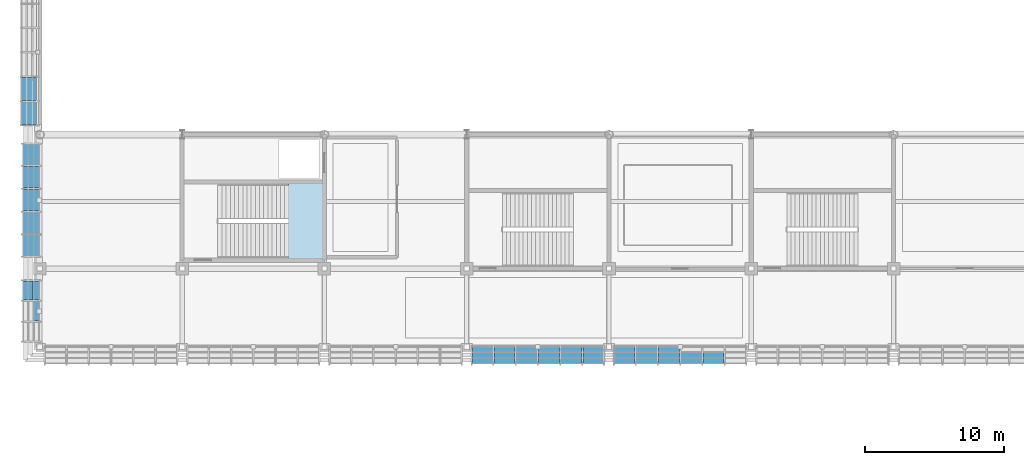
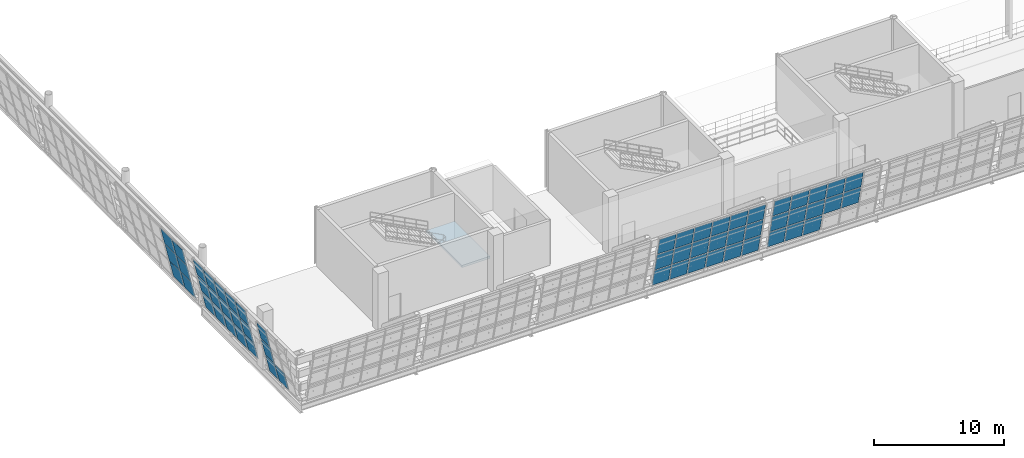
# One storey, part 103 of 175: 56 plates, 1 slab, 6 elements without a shape of their own.
"""IFC4 building model written with IfcOpenShell, lengths in metres."""

import ifcopenshell
import ifcopenshell.guid

model = None  # the IFC model being written
_history = None  # IfcOwnerHistory: only IFC2X3 demands one
_inside = {}  # id of a spatial element -> (the spatial element, [elements in it])
_under = {}  # id of a project, library or spatial element -> (it, [spatial elements below it])
_declared = {}  # id of a project -> (the project, [libraries it declares])
_typed = {}  # id of a type object -> (the type object, [elements of that type])
_made_of = {}  # id of a material, layer set ... -> (it, [elements and type objects made of it])


def new_model(schema):
    """Start an empty IFC model of exactly this schema.

    Asked for "IFC4X3", IfcOpenShell would pick the latest addendum, in which some entities
    have other attributes; the version numbers below select the first issue.
    IFC2X3 requires an IfcOwnerHistory on every rooted entity: one is made here for all.
    """
    global model, _history
    if schema == "IFC4X3":
        model = ifcopenshell.file(schema_version=(4, 3, 0, 0))
    else:
        model = ifcopenshell.file(schema=schema)
    _inside.clear()
    _under.clear()
    _declared.clear()
    _typed.clear()
    _made_of.clear()
    _history = None
    if model.schema == "IFC2X3":
        org = make("IfcOrganization", Name="unknown")
        user = make(
            "IfcPersonAndOrganization",
            ThePerson=make("IfcPerson", FamilyName="unknown"),
            TheOrganization=org,
        )
        app = make(
            "IfcApplication",
            ApplicationDeveloper=org,
            Version="unknown",
            ApplicationFullName="unknown",
            ApplicationIdentifier="unknown",
        )
        _history = make(
            "IfcOwnerHistory",
            OwningUser=user,
            OwningApplication=app,
            ChangeAction="ADDED",
            CreationDate=0,
        )
    return model


def make(cls, **values):
    """One entity of the class cls with the attributes given. An attribute that is None is left unset."""
    return model.create_entity(
        cls, **{name: value for name, value in values.items() if value is not None}
    )


def rooted(cls, **values):
    """An entity with a GlobalId (a new one), such as an element, a storey or a relation."""
    return make(cls, GlobalId=ifcopenshell.guid.new(), OwnerHistory=_history, **values)


def si_unit(unit_type, name, prefix=None):
    """IfcSIUnit, for example si_unit("LENGTHUNIT", "METRE", prefix="MILLI")."""
    return make("IfcSIUnit", UnitType=unit_type, Prefix=prefix, Name=name)


def assignment(units):
    """IfcUnitAssignment: the units of a project."""
    return None if units is None else make("IfcUnitAssignment", Units=units)


def point(xyz):
    """IfcCartesianPoint."""
    return None if xyz is None else make("IfcCartesianPoint", Coordinates=xyz)


def direction(xyz):
    """IfcDirection."""
    return None if xyz is None else make("IfcDirection", DirectionRatios=xyz)


def frame(location, z_axis=None, x_axis=None):
    """IfcAxis2Placement3D, a coordinate frame: its origin and axes. An axis left out is left unset."""
    return make(
        "IfcAxis2Placement3D",
        Location=point(location),
        Axis=direction(z_axis),
        RefDirection=direction(x_axis),
    )


def origin():
    """The frame at (0, 0, 0) with its axes left unset."""
    return frame((0.0, 0.0, 0.0))


def place(relative_to, where):
    """IfcLocalPlacement: puts the frame where relative to a parent placement (None: the world)."""
    return make(
        "IfcLocalPlacement", PlacementRelTo=relative_to, RelativePlacement=where
    )


def context(
    kind, dimensions, precision=None, world=None, true_north=None, identifier=None
):
    """IfcGeometricRepresentationContext, for example the 3D "Model" context."""
    return make(
        "IfcGeometricRepresentationContext",
        ContextIdentifier=identifier,
        ContextType=kind,
        CoordinateSpaceDimension=dimensions,
        Precision=precision,
        WorldCoordinateSystem=world,
        TrueNorth=true_north,
    )


def subcontext(parent, identifier, kind, view, scale=None):
    """IfcGeometricRepresentationSubContext, for example "Body" below "Model"."""
    return make(
        "IfcGeometricRepresentationSubContext",
        ContextIdentifier=identifier,
        ContextType=kind,
        ParentContext=parent,
        TargetScale=scale,
        TargetView=view,
    )


def project(units=None, contexts=None):
    """IfcProject with its units and contexts."""
    return rooted(
        "IfcProject",
        Name="project",
        RepresentationContexts=contexts,
        UnitsInContext=assignment(units),
    )


def spatial(cls, under=None, at=None, **own):
    """A site, building, storey or space (cls), placed at a placement, below another one or the project."""
    s = rooted(cls, ObjectPlacement=at, **own)
    if under is not None:
        _under.setdefault(under.id(), (under, []))[1].append(s)
    return s


def polyline(points):
    """IfcPolyline through the points."""
    return make("IfcPolyline", Points=[point(p) for p in points])


def outline(outer, holes=None, kind="AREA"):
    """IfcArbitraryClosedProfileDef: a profile drawn as a closed curve; with holes, ...WithVoids."""
    if holes is None:
        return make("IfcArbitraryClosedProfileDef", ProfileType=kind, OuterCurve=outer)
    return make(
        "IfcArbitraryProfileDefWithVoids",
        ProfileType=kind,
        OuterCurve=outer,
        InnerCurves=holes,
    )


def extrude(swept, where, along, depth):
    """IfcExtrudedAreaSolid: the profile swept, set in the frame where, extruded along a direction by depth."""
    return make(
        "IfcExtrudedAreaSolid",
        SweptArea=swept,
        Position=where,
        ExtrudedDirection=direction(along),
        Depth=depth,
    )


def shape(context_of_items, identifier, shape_type, items):
    """IfcShapeRepresentation: the items that make up one representation, for example the "Body"."""
    return make(
        "IfcShapeRepresentation",
        ContextOfItems=context_of_items,
        RepresentationIdentifier=identifier,
        RepresentationType=shape_type,
        Items=items,
    )


def material(Name=None, Category=None):
    """IfcMaterial."""
    return make("IfcMaterial", Name=Name, Category=Category)


def layer(
    of_material, thickness, ventilated=None, Name=None, Category=None, Priority=None
):
    """IfcMaterialLayer: one layer of a wall or slab, of a material (None: an air gap)."""
    return make(
        "IfcMaterialLayer",
        Material=of_material,
        LayerThickness=thickness,
        IsVentilated=ventilated,
        Name=Name,
        Category=Category,
        Priority=Priority,
    )


def layer_set(layers, Name=None):
    """IfcMaterialLayerSet."""
    return make("IfcMaterialLayerSet", MaterialLayers=layers, LayerSetName=Name)


def made_of(thing, what):
    """Note that an element or type object is made of a material, layer set ...; save() writes the relation."""
    if what is not None:
        _made_of.setdefault(what.id(), (what, []))[1].append(thing)
    return thing


def type_object(cls, material=None, **own):
    """A type object (cls), such as IfcWallType, which elements share."""
    return made_of(rooted(cls, **own), material)


def element(
    cls,
    number,
    at=None,
    inside=None,
    cuts=None,
    type_object=None,
    material=None,
    context=None,
    identifier="Body",
    shape_type=None,
    held_by="IfcProductDefinitionShape",
    body=None,
    shapes=None,
    **own,
):
    """One element of the class cls, such as IfcWall. Its Tag is "e" and its number.

    at: its placement. inside: the storey or other place that contains it. cuts: it is an
    opening in that element (IfcRelVoidsElement). A single representation is given by context,
    identifier, shape_type and body (its items); several are given by shapes. held_by: the class
    of the entity that holds the representations. save() writes the other relations.
    """
    e = rooted(cls, Tag="e%d" % number, ObjectPlacement=at, **own)
    if body is not None:
        shapes = [shape(context, identifier, shape_type, body)]
    if shapes is not None:
        e.Representation = make(held_by, Representations=shapes)
    if inside is not None:
        _inside.setdefault(inside.id(), (inside, []))[1].append(e)
    if cuts is not None:
        rooted(
            "IfcRelVoidsElement", RelatingBuildingElement=cuts, RelatedOpeningElement=e
        )
    if type_object is not None:
        _typed.setdefault(type_object.id(), (type_object, []))[1].append(e)
    return made_of(e, material)


def aggregate(whole, parts):
    """IfcRelAggregates: a whole, such as a stair, and the parts it consists of."""
    return rooted("IfcRelAggregates", RelatingObject=whole, RelatedObjects=parts)


def save(model, path):
    """Write the relations noted so far, then the file.

    IfcRelAggregates (storeys below a building ...), IfcRelContainedInSpatialStructure (elements
    in a storey), IfcRelDefinesByType, IfcRelAssociatesMaterial and IfcRelDeclares: one each for
    every whole, place, type object, material and project.
    """
    for whole, parts in _under.values():
        aggregate(whole, parts)
    for where, things in _inside.values():
        rooted(
            "IfcRelContainedInSpatialStructure",
            RelatedElements=things,
            RelatingStructure=where,
        )
    for kind, things in _typed.values():
        rooted("IfcRelDefinesByType", RelatedObjects=things, RelatingType=kind)
    for what, things in _made_of.values():
        rooted("IfcRelAssociatesMaterial", RelatedObjects=things, RelatingMaterial=what)
    for by, libraries in _declared.values():
        rooted("IfcRelDeclares", RelatingContext=by, RelatedDefinitions=libraries)
    model.write(path)


model = new_model("IFC4")

# Units and contexts
model_context = context("Model", 3, precision=1e-05, world=origin(), true_north=direction((0.0, 1.0)))
body_context = subcontext(model_context, "Body", "Model", "MODEL_VIEW")
ifc_project = project(units=[si_unit("LENGTHUNIT", "METRE"), si_unit("AREAUNIT", "SQUARE_METRE"), si_unit("VOLUMEUNIT", "CUBIC_METRE"), si_unit("PLANEANGLEUNIT", "RADIAN"), si_unit("MASSUNIT", "GRAM", prefix="KILO")], contexts=[model_context])

# Site, building, storey
site_placement = place(None, origin())
site = spatial("IfcSite", under=ifc_project, at=site_placement, CompositionType="ELEMENT")
building_placement = place(site_placement, origin())
building = spatial("IfcBuilding", under=site, at=building_placement, Name="Brelvane Convention Centre", CompositionType="ELEMENT")
storey_placement = place(building_placement, frame((0.0, 0.0, 5.39990234375)))
storey = spatial("IfcBuildingStorey", under=building, at=storey_placement, Name="L01", CompositionType="ELEMENT", Elevation=5.39990234375)

# Curtain wall, plates
ifc_material_1 = material(Name="Anodised Aluminium Alloy 6063-T6", Category="aluminium")
curtain_wall_type = type_object("IfcCurtainWallType", Name="Curtain Wall CW-HULL-S", PredefinedType="USERDEFINED", material=ifc_material_1)
curtain_wall_1_placement = place(storey_placement, origin())
curtain_wall_1 = element("IfcCurtainWall", 1, at=curtain_wall_1_placement, inside=storey, type_object=curtain_wall_type, Name="Curtain Wall CW-HULL-S L01-HULL-S-L01-04", ObjectType="UNITISED", PredefinedType="USERDEFINED")
ifc_material_2 = material(Name="Double Glazed Low-E Laminated Unit")
ifc_layer_1 = layer(ifc_material_2, 0.031982421875)
ifc_layer_set_1 = layer_set([ifc_layer_1], Name="Double Glazed Low-E Laminated Unit")
plate_type_1 = type_object("IfcPlateType", Name="Curtain Panel CW-PG1", PredefinedType="CURTAIN_PANEL", material=ifc_layer_set_1)
plate_1_placement = place(storey_placement, frame((31.0, 13.18798828125, 1.7568359375), z_axis=(0.0, 0.973584535906, 0.228326852222), x_axis=(1.0, 0.0, 0.0)))
plate_1 = element("IfcPlate", 2, at=plate_1_placement, type_object=plate_type_1, Name="CW-HULL-S panel 1.2", PredefinedType="CURTAIN_PANEL", context=body_context, shape_type="SweptSolid", body=[
    extrude(outline(polyline([(0.0, 0.0), (1.473388671875, 0.0), (1.473388671875, -1.680875721647406), (0.0, -1.680875721647406), (0.0, 0.0)])), origin(), (0.0, 0.0, -1.0), 0.031982421875),
])
plate_2_placement = place(storey_placement, frame((31.0, 12.785400390625, 3.473388671875), z_axis=(0.0, 0.973577021422, 0.228358891569), x_axis=(1.0, 0.0, 0.0)))
plate_2 = element("IfcPlate", 3, at=plate_2_placement, type_object=plate_type_1, Name="CW-HULL-S panel 1.3", PredefinedType="CURTAIN_PANEL", context=body_context, shape_type="SweptSolid", body=[
    extrude(outline(polyline([(0.0, 0.0), (1.473388671875, 0.0), (1.473388671875, -1.640013735294975), (0.0, -1.640013735294975), (0.0, 0.0)])), origin(), (0.0, 0.0, -1.0), 0.031982421875),
])
plate_3_placement = place(storey_placement, frame((32.55322265625, 13.18798828125, 1.7568359375), z_axis=(0.0, 0.973584535906, 0.228326852222), x_axis=(1.0, 0.0, 0.0)))
plate_3 = element("IfcPlate", 4, at=plate_3_placement, type_object=plate_type_1, Name="CW-HULL-S panel 2.2", PredefinedType="CURTAIN_PANEL", context=body_context, shape_type="SweptSolid", body=[
    extrude(outline(polyline([(0.0, 0.0), (1.513427734375, 0.0), (1.513427734375, -1.680875721647406), (0.0, -1.680875721647406), (0.0, 0.0)])), origin(), (0.0, 0.0, -1.0), 0.031982421875),
])
plate_4_placement = place(storey_placement, frame((32.55322265625, 12.785400390625, 3.473388671875), z_axis=(0.0, 0.973577021422, 0.228358891569), x_axis=(1.0, 0.0, 0.0)))
plate_4 = element("IfcPlate", 5, at=plate_4_placement, type_object=plate_type_1, Name="CW-HULL-S panel 2.3", PredefinedType="CURTAIN_PANEL", context=body_context, shape_type="SweptSolid", body=[
    extrude(outline(polyline([(0.0, 0.0), (1.513427734375, 0.0), (1.513427734375, -1.6400137352949753), (0.0, -1.6400137352949753), (0.0, 0.0)])), origin(), (0.0, 0.0, -1.0), 0.031982421875),
])
plate_5_placement = place(storey_placement, frame((34.146728515625, 13.18798828125, 1.7568359375), z_axis=(0.0, 0.973584535906, 0.228326852222), x_axis=(1.0, 0.0, 0.0)))
plate_5 = element("IfcPlate", 6, at=plate_5_placement, type_object=plate_type_1, Name="CW-HULL-S panel 3.2", PredefinedType="CURTAIN_PANEL", context=body_context, shape_type="SweptSolid", body=[
    extrude(outline(polyline([(0.0, 0.0), (1.51318359375, 0.0), (1.51318359375, -1.680875721647406), (0.0, -1.680875721647406), (0.0, 0.0)])), origin(), (0.0, 0.0, -1.0), 0.031982421875),
])
plate_6_placement = place(storey_placement, frame((34.146728515625, 12.785400390625, 3.473388671875), z_axis=(0.0, 0.973577021422, 0.228358891569), x_axis=(1.0, 0.0, 0.0)))
plate_6 = element("IfcPlate", 7, at=plate_6_placement, type_object=plate_type_1, Name="CW-HULL-S panel 3.3", PredefinedType="CURTAIN_PANEL", context=body_context, shape_type="SweptSolid", body=[
    extrude(outline(polyline([(0.0, 0.0), (1.51318359375, 0.0), (1.51318359375, -1.640013735294975), (0.0, -1.640013735294975), (0.0, 0.0)])), origin(), (0.0, 0.0, -1.0), 0.031982421875),
])
plate_7_placement = place(storey_placement, frame((35.739990234375, 13.18798828125, 1.7568359375), z_axis=(0.0, 0.973584535906, 0.228326852222), x_axis=(1.0, 0.0, 0.0)))
plate_7 = element("IfcPlate", 8, at=plate_7_placement, type_object=plate_type_1, Name="CW-HULL-S panel 4.2", PredefinedType="CURTAIN_PANEL", context=body_context, shape_type="SweptSolid", body=[
    extrude(outline(polyline([(0.0, 0.0), (1.513427734375, 0.0), (1.513427734375, -1.680875721647406), (0.0, -1.680875721647406), (0.0, 0.0)])), origin(), (0.0, 0.0, -1.0), 0.031982421875),
])
plate_8_placement = place(storey_placement, frame((35.739990234375, 12.785400390625, 3.473388671875), z_axis=(0.0, 0.973577021422, 0.228358891569), x_axis=(1.0, 0.0, 0.0)))
plate_8 = element("IfcPlate", 9, at=plate_8_placement, type_object=plate_type_1, Name="CW-HULL-S panel 4.3", PredefinedType="CURTAIN_PANEL", context=body_context, shape_type="SweptSolid", body=[
    extrude(outline(polyline([(0.0, 0.0), (1.513427734375, 0.0), (1.513427734375, -1.6400137352949753), (0.0, -1.6400137352949753), (0.0, 0.0)])), origin(), (0.0, 0.0, -1.0), 0.031982421875),
])
plate_9_placement = place(storey_placement, frame((37.333251953125, 13.18798828125, 1.7568359375), z_axis=(0.0, 0.973584535906, 0.228326852222), x_axis=(1.0, 0.0, 0.0)))
plate_9 = element("IfcPlate", 10, at=plate_9_placement, type_object=plate_type_1, Name="CW-HULL-S panel 5.2", PredefinedType="CURTAIN_PANEL", context=body_context, shape_type="SweptSolid", body=[
    extrude(outline(polyline([(0.0, 0.0), (1.513427734375, 0.0), (1.513427734375, -1.680875721647406), (0.0, -1.680875721647406), (0.0, 0.0)])), origin(), (0.0, 0.0, -1.0), 0.031982421875),
])
plate_10_placement = place(storey_placement, frame((37.333251953125, 12.785400390625, 3.473388671875), z_axis=(0.0, 0.973577021422, 0.228358891569), x_axis=(1.0, 0.0, 0.0)))
plate_10 = element("IfcPlate", 11, at=plate_10_placement, type_object=plate_type_1, Name="CW-HULL-S panel 5.3", PredefinedType="CURTAIN_PANEL", context=body_context, shape_type="SweptSolid", body=[
    extrude(outline(polyline([(0.0, 0.0), (1.513427734375, 0.0), (1.513427734375, -1.6400137352949753), (0.0, -1.6400137352949753), (0.0, 0.0)])), origin(), (0.0, 0.0, -1.0), 0.031982421875),
])
plate_11_placement = place(storey_placement, frame((38.9267578125, 13.18798828125, 1.7568359375), z_axis=(0.0, 0.973584535906, 0.228326852222), x_axis=(1.0, 0.0, 0.0)))
plate_11 = element("IfcPlate", 12, at=plate_11_placement, type_object=plate_type_1, Name="CW-HULL-S panel 6.2", PredefinedType="CURTAIN_PANEL", context=body_context, shape_type="SweptSolid", body=[
    extrude(outline(polyline([(0.0, 0.0), (1.47314453125, 0.0), (1.47314453125, -1.680875721647406), (0.0, -1.680875721647406), (0.0, 0.0)])), origin(), (0.0, 0.0, -1.0), 0.031982421875),
])
plate_12_placement = place(storey_placement, frame((38.9267578125, 12.785400390625, 3.473388671875), z_axis=(0.0, 0.973577021422, 0.228358891569), x_axis=(1.0, 0.0, 0.0)))
plate_12 = element("IfcPlate", 13, at=plate_12_placement, type_object=plate_type_1, Name="CW-HULL-S panel 6.3", PredefinedType="CURTAIN_PANEL", context=body_context, shape_type="SweptSolid", body=[
    extrude(outline(polyline([(0.0, 0.0), (1.47314453125, 0.0), (1.47314453125, -1.6400137352949753), (0.0, -1.6400137352949753), (0.0, 0.0)])), origin(), (0.0, 0.0, -1.0), 0.031982421875),
])

curtain_wall_2_placement = place(storey_placement, origin())
curtain_wall_2 = element("IfcCurtainWall", 14, at=curtain_wall_2_placement, inside=storey, type_object=curtain_wall_type, Name="Curtain Wall CW-HULL-S L01-HULL-S-L01-05", ObjectType="UNITISED", PredefinedType="USERDEFINED")
plate_13_placement = place(storey_placement, frame((41.199951171875, 13.18798828125, 1.7568359375), z_axis=(0.0, 0.973584535906, 0.228326852222), x_axis=(1.0, 0.0, 0.0)))
plate_13 = element("IfcPlate", 15, at=plate_13_placement, type_object=plate_type_1, Name="CW-HULL-S panel 1.2", PredefinedType="CURTAIN_PANEL", context=body_context, shape_type="SweptSolid", body=[
    extrude(outline(polyline([(0.0, 0.0), (1.473388671875, 0.0), (1.473388671875, -1.680875721647406), (0.0, -1.680875721647406), (0.0, 0.0)])), origin(), (0.0, 0.0, -1.0), 0.031982421875),
])
plate_14_placement = place(storey_placement, frame((41.199951171875, 12.785400390625, 3.473388671875), z_axis=(0.0, 0.973577021422, 0.228358891569), x_axis=(1.0, 0.0, 0.0)))
plate_14 = element("IfcPlate", 16, at=plate_14_placement, type_object=plate_type_1, Name="CW-HULL-S panel 1.3", PredefinedType="CURTAIN_PANEL", context=body_context, shape_type="SweptSolid", body=[
    extrude(outline(polyline([(0.0, 0.0), (1.473388671875, 0.0), (1.473388671875, -1.640013735294975), (0.0, -1.640013735294975), (0.0, 0.0)])), origin(), (0.0, 0.0, -1.0), 0.031982421875),
])
plate_15_placement = place(storey_placement, frame((42.75341796875, 13.18798828125, 1.7568359375), z_axis=(0.0, 0.973584535906, 0.228326852222), x_axis=(1.0, 0.0, 0.0)))
plate_15 = element("IfcPlate", 17, at=plate_15_placement, type_object=plate_type_1, Name="CW-HULL-S panel 2.2", PredefinedType="CURTAIN_PANEL", context=body_context, shape_type="SweptSolid", body=[
    extrude(outline(polyline([(0.0, 0.0), (1.51318359375, 0.0), (1.51318359375, -1.680875721647406), (0.0, -1.680875721647406), (0.0, 0.0)])), origin(), (0.0, 0.0, -1.0), 0.031982421875),
])
plate_16_placement = place(storey_placement, frame((42.75341796875, 12.785400390625, 3.473388671875), z_axis=(0.0, 0.973577021422, 0.228358891569), x_axis=(1.0, 0.0, 0.0)))
plate_16 = element("IfcPlate", 18, at=plate_16_placement, type_object=plate_type_1, Name="CW-HULL-S panel 2.3", PredefinedType="CURTAIN_PANEL", context=body_context, shape_type="SweptSolid", body=[
    extrude(outline(polyline([(0.0, 0.0), (1.51318359375, 0.0), (1.51318359375, -1.640013735294975), (0.0, -1.640013735294975), (0.0, 0.0)])), origin(), (0.0, 0.0, -1.0), 0.031982421875),
])
plate_17_placement = place(storey_placement, frame((44.3466796875, 13.18798828125, 1.7568359375), z_axis=(0.0, 0.973584535906, 0.228326852222), x_axis=(1.0, 0.0, 0.0)))
plate_17 = element("IfcPlate", 19, at=plate_17_placement, type_object=plate_type_1, Name="CW-HULL-S panel 3.2", PredefinedType="CURTAIN_PANEL", context=body_context, shape_type="SweptSolid", body=[
    extrude(outline(polyline([(0.0, 0.0), (1.513427734375, 0.0), (1.513427734375, -1.680875721647406), (0.0, -1.680875721647406), (0.0, 0.0)])), origin(), (0.0, 0.0, -1.0), 0.031982421875),
])
plate_18_placement = place(storey_placement, frame((44.3466796875, 12.785400390625, 3.473388671875), z_axis=(0.0, 0.973577021422, 0.228358891569), x_axis=(1.0, 0.0, 0.0)))
plate_18 = element("IfcPlate", 20, at=plate_18_placement, type_object=plate_type_1, Name="CW-HULL-S panel 3.3", PredefinedType="CURTAIN_PANEL", context=body_context, shape_type="SweptSolid", body=[
    extrude(outline(polyline([(0.0, 0.0), (1.513427734375, 0.0), (1.513427734375, -1.6400137352949753), (0.0, -1.6400137352949753), (0.0, 0.0)])), origin(), (0.0, 0.0, -1.0), 0.031982421875),
])
plate_19_placement = place(storey_placement, frame((45.93994140625, 13.18798828125, 1.7568359375), z_axis=(0.0, 0.973584535906, 0.228326852222), x_axis=(1.0, 0.0, 0.0)))
plate_19 = element("IfcPlate", 21, at=plate_19_placement, type_object=plate_type_1, Name="CW-HULL-S panel 4.2", PredefinedType="CURTAIN_PANEL", context=body_context, shape_type="SweptSolid", body=[
    extrude(outline(polyline([(0.0, 0.0), (1.513427734375, 0.0), (1.513427734375, -1.680875721647406), (0.0, -1.680875721647406), (0.0, 0.0)])), origin(), (0.0, 0.0, -1.0), 0.031982421875),
])
plate_20_placement = place(storey_placement, frame((45.93994140625, 12.785400390625, 3.473388671875), z_axis=(0.0, 0.973577021422, 0.228358891569), x_axis=(1.0, 0.0, 0.0)))
plate_20 = element("IfcPlate", 22, at=plate_20_placement, type_object=plate_type_1, Name="CW-HULL-S panel 4.3", PredefinedType="CURTAIN_PANEL", context=body_context, shape_type="SweptSolid", body=[
    extrude(outline(polyline([(0.0, 0.0), (1.513427734375, 0.0), (1.513427734375, -1.6400137352949753), (0.0, -1.6400137352949753), (0.0, 0.0)])), origin(), (0.0, 0.0, -1.0), 0.031982421875),
])
plate_21_placement = place(storey_placement, frame((47.533447265625, 13.18798828125, 1.7568359375), z_axis=(0.0, 0.973584535906, 0.228326852222), x_axis=(1.0, 0.0, 0.0)))
plate_21 = element("IfcPlate", 23, at=plate_21_placement, type_object=plate_type_1, Name="CW-HULL-S panel 5.2", PredefinedType="CURTAIN_PANEL", context=body_context, shape_type="SweptSolid", body=[
    extrude(outline(polyline([(0.0, 0.0), (1.51318359375, 0.0), (1.51318359375, -1.680875721647406), (0.0, -1.680875721647406), (0.0, 0.0)])), origin(), (0.0, 0.0, -1.0), 0.031982421875),
])
plate_22_placement = place(storey_placement, frame((47.533447265625, 12.785400390625, 3.473388671875), z_axis=(0.0, 0.973577021422, 0.228358891569), x_axis=(1.0, 0.0, 0.0)))
plate_22 = element("IfcPlate", 24, at=plate_22_placement, type_object=plate_type_1, Name="CW-HULL-S panel 5.3", PredefinedType="CURTAIN_PANEL", context=body_context, shape_type="SweptSolid", body=[
    extrude(outline(polyline([(0.0, 0.0), (1.51318359375, 0.0), (1.51318359375, -1.640013735294975), (0.0, -1.640013735294975), (0.0, 0.0)])), origin(), (0.0, 0.0, -1.0), 0.031982421875),
])

curtain_wall_3_placement = place(storey_placement, origin())
curtain_wall_3 = element("IfcCurtainWall", 25, at=curtain_wall_3_placement, inside=storey, type_object=curtain_wall_type, Name="Curtain Wall CW-HULL-S L01-HULL-W-GAL-L01-B", ObjectType="UNITISED", PredefinedType="USERDEFINED")
plate_23_placement = place(storey_placement, frame((-0.446533203125, 20.080078125, 1.7333984375), z_axis=(0.9735753786, 0.0, 0.228365895404), x_axis=(0.0, 1.0, 0.0)))
plate_23 = element("IfcPlate", 26, at=plate_23_placement, type_object=plate_type_1, Name="CW-HULL-S panel 1.2", PredefinedType="CURTAIN_PANEL", context=body_context, shape_type="SweptSolid", body=[
    extrude(outline(polyline([(0.0, 0.0), (1.52001953125, 0.0), (1.52001953125, 1.6570686620277504), (0.0, 1.6570686620277504), (0.0, 0.0)])), origin(), (0.0, 0.0, -1.0), 0.031982421875),
])
plate_24_placement = place(storey_placement, frame((-0.84375, 20.080078125, 3.4267578125), z_axis=(0.973593228465, 0.0, 0.228289784018), x_axis=(0.0, 1.0, 0.0)))
plate_24 = element("IfcPlate", 27, at=plate_24_placement, type_object=plate_type_1, Name="CW-HULL-S panel 1.3", PredefinedType="CURTAIN_PANEL", context=body_context, shape_type="SweptSolid", body=[
    extrude(outline(polyline([(0.0, 0.0), (1.52001953125, 0.0), (1.52001953125, 1.6159132392285238), (0.0, 1.6159132392285238), (0.0, 0.0)])), origin(), (0.0, 0.0, -1.0), 0.031982421875),
])
plate_25_placement = place(storey_placement, frame((-0.446533203125, 21.679931640625, 1.7333984375), z_axis=(0.9735753786, 0.0, 0.228365895404), x_axis=(0.0, 1.0, 0.0)))
plate_25 = element("IfcPlate", 28, at=plate_25_placement, type_object=plate_type_1, Name="CW-HULL-S panel 2.2", PredefinedType="CURTAIN_PANEL", context=body_context, shape_type="SweptSolid", body=[
    extrude(outline(polyline([(0.0, 0.0), (1.56005859375, 0.0), (1.56005859375, 1.6570686620277504), (0.0, 1.6570686620277504), (0.0, 0.0)])), origin(), (0.0, 0.0, -1.0), 0.031982421875),
])
plate_26_placement = place(storey_placement, frame((-0.84375, 21.679931640625, 3.4267578125), z_axis=(0.973593228465, 0.0, 0.228289784018), x_axis=(0.0, 1.0, 0.0)))
plate_26 = element("IfcPlate", 29, at=plate_26_placement, type_object=plate_type_1, Name="CW-HULL-S panel 2.3", PredefinedType="CURTAIN_PANEL", context=body_context, shape_type="SweptSolid", body=[
    extrude(outline(polyline([(0.0, 0.0), (1.56005859375, 0.0), (1.56005859375, 1.6159132392285236), (0.0, 1.6159132392285236), (0.0, 0.0)])), origin(), (0.0, 0.0, -1.0), 0.031982421875),
])
plate_27_placement = place(storey_placement, frame((-0.446533203125, 23.320068359375, 1.7333984375), z_axis=(0.9735753786, 0.0, 0.228365895404), x_axis=(0.0, 1.0, 0.0)))
plate_27 = element("IfcPlate", 30, at=plate_27_placement, type_object=plate_type_1, Name="CW-HULL-S panel 3.2", PredefinedType="CURTAIN_PANEL", context=body_context, shape_type="SweptSolid", body=[
    extrude(outline(polyline([(0.0, 0.0), (1.559814453125, 0.0), (1.559814453125, 1.6570686620277504), (0.0, 1.6570686620277504), (0.0, 0.0)])), origin(), (0.0, 0.0, -1.0), 0.031982421875),
])
plate_28_placement = place(storey_placement, frame((-0.84375, 23.320068359375, 3.4267578125), z_axis=(0.973593228465, 0.0, 0.228289784018), x_axis=(0.0, 1.0, 0.0)))
plate_28 = element("IfcPlate", 31, at=plate_28_placement, type_object=plate_type_1, Name="CW-HULL-S panel 3.3", PredefinedType="CURTAIN_PANEL", context=body_context, shape_type="SweptSolid", body=[
    extrude(outline(polyline([(0.0, 0.0), (1.559814453125, 0.0), (1.559814453125, 1.6159132392285238), (0.0, 1.6159132392285238), (0.0, 0.0)])), origin(), (0.0, 0.0, -1.0), 0.031982421875),
])
plate_29_placement = place(storey_placement, frame((-0.446533203125, 24.9599609375, 1.7333984375), z_axis=(0.9735753786, 0.0, 0.228365895404), x_axis=(0.0, 1.0, 0.0)))
plate_29 = element("IfcPlate", 32, at=plate_29_placement, type_object=plate_type_1, Name="CW-HULL-S panel 4.2", PredefinedType="CURTAIN_PANEL", context=body_context, shape_type="SweptSolid", body=[
    extrude(outline(polyline([(0.0, 0.0), (1.56005859375, 0.0), (1.56005859375, 1.6570686620277504), (0.0, 1.6570686620277504), (0.0, 0.0)])), origin(), (0.0, 0.0, -1.0), 0.031982421875),
])
plate_30_placement = place(storey_placement, frame((-0.84375, 24.9599609375, 3.4267578125), z_axis=(0.973593228465, 0.0, 0.228289784018), x_axis=(0.0, 1.0, 0.0)))
plate_30 = element("IfcPlate", 33, at=plate_30_placement, type_object=plate_type_1, Name="CW-HULL-S panel 4.3", PredefinedType="CURTAIN_PANEL", context=body_context, shape_type="SweptSolid", body=[
    extrude(outline(polyline([(0.0, 0.0), (1.56005859375, 0.0), (1.56005859375, 1.6159132392285236), (0.0, 1.6159132392285236), (0.0, 0.0)])), origin(), (0.0, 0.0, -1.0), 0.031982421875),
])
plate_31_placement = place(storey_placement, frame((-0.446533203125, 26.60009765625, 1.7333984375), z_axis=(0.9735753786, 0.0, 0.228365895404), x_axis=(0.0, 1.0, 0.0)))
plate_31 = element("IfcPlate", 34, at=plate_31_placement, type_object=plate_type_1, Name="CW-HULL-S panel 5.2", PredefinedType="CURTAIN_PANEL", context=body_context, shape_type="SweptSolid", body=[
    extrude(outline(polyline([(0.0, 0.0), (1.52001953125, 0.0), (1.52001953125, 1.6570686620277504), (0.0, 1.6570686620277504), (0.0, 0.0)])), origin(), (0.0, 0.0, -1.0), 0.031982421875),
])
plate_32_placement = place(storey_placement, frame((-0.84375, 26.60009765625, 3.4267578125), z_axis=(0.973593228465, 0.0, 0.228289784018), x_axis=(0.0, 1.0, 0.0)))
plate_32 = element("IfcPlate", 35, at=plate_32_placement, type_object=plate_type_1, Name="CW-HULL-S panel 5.3", PredefinedType="CURTAIN_PANEL", context=body_context, shape_type="SweptSolid", body=[
    extrude(outline(polyline([(0.0, 0.0), (1.52001953125, 0.0), (1.52001953125, 1.6159132392285238), (0.0, 1.6159132392285238), (0.0, 0.0)])), origin(), (0.0, 0.0, -1.0), 0.031982421875),
])

curtain_wall_4_placement = place(storey_placement, origin())
curtain_wall_4 = element("IfcCurtainWall", 36, at=curtain_wall_4_placement, inside=storey, type_object=curtain_wall_type, Name="Curtain Wall CW-HULL-S L01-HULL-W-L01-1", ObjectType="UNITISED", PredefinedType="USERDEFINED")
plate_33_placement = place(storey_placement, frame((-0.543701171875, 29.52490234375, 1.74169921875), z_axis=(0.9735519665, 0.0, 0.22846568347), x_axis=(0.0, 1.0, 0.0)))
plate_33 = element("IfcPlate", 37, at=plate_33_placement, type_object=plate_type_1, Name="CW-HULL-S panel 1.2", PredefinedType="CURTAIN_PANEL", context=body_context, shape_type="SweptSolid", body=[
    extrude(outline(polyline([(0.0, 0.0), (1.6376953125, 0.0), (1.6376953125, 1.66061933454036), (0.0, 1.66061933454036), (0.0, 0.0)])), origin(), (0.0, 0.0, -1.0), 0.031982421875),
])
plate_34_placement = place(storey_placement, frame((-0.939453125, 29.52490234375, 3.428466796875), z_axis=(0.973592305748, 0.0, 0.228293719116), x_axis=(0.0, 1.0, 0.0)))
plate_34 = element("IfcPlate", 38, at=plate_34_placement, type_object=plate_type_1, Name="CW-HULL-S panel 1.3", PredefinedType="CURTAIN_PANEL", context=body_context, shape_type="SweptSolid", body=[
    extrude(outline(polyline([(0.0, 0.0), (1.6376953125, 0.0), (1.6376953125, 1.6244407021421723), (0.0, 1.6244407021421723), (0.0, 0.0)])), origin(), (0.0, 0.0, -1.0), 0.031982421875),
])
plate_35_placement = place(storey_placement, frame((-0.543701171875, 31.237548828125, 1.74169921875), z_axis=(0.9735519665, 0.0, 0.22846568347), x_axis=(0.0, 1.0, 0.0)))
plate_35 = element("IfcPlate", 39, at=plate_35_placement, type_object=plate_type_1, Name="CW-HULL-S panel 2.2", PredefinedType="CURTAIN_PANEL", context=body_context, shape_type="SweptSolid", body=[
    extrude(outline(polyline([(0.0, 0.0), (1.675048828125, 0.0), (1.675048828125, 1.66061933454036), (0.0, 1.66061933454036), (0.0, 0.0)])), origin(), (0.0, 0.0, -1.0), 0.031982421875),
])
plate_36_placement = place(storey_placement, frame((-0.939453125, 31.237548828125, 3.428466796875), z_axis=(0.973592305748, 0.0, 0.228293719116), x_axis=(0.0, 1.0, 0.0)))
plate_36 = element("IfcPlate", 40, at=plate_36_placement, type_object=plate_type_1, Name="CW-HULL-S panel 2.3", PredefinedType="CURTAIN_PANEL", context=body_context, shape_type="SweptSolid", body=[
    extrude(outline(polyline([(0.0, 0.0), (1.675048828125, 0.0), (1.675048828125, 1.624440702142172), (0.0, 1.624440702142172), (0.0, 0.0)])), origin(), (0.0, 0.0, -1.0), 0.031982421875),
])

# Plate
ifc_material_3 = material(Name="Patinated Copper-Bronze Alloy C22000")
ifc_layer_2 = layer(ifc_material_3, 0.048095703125)
ifc_layer_set_2 = layer_set([ifc_layer_2], Name="Patinated Copper-Bronze Alloy C22000")
plate_type_2 = type_object("IfcPlateType", Name="Curtain Panel CW-PS1", PredefinedType="CURTAIN_PANEL", material=ifc_layer_set_2)
plate_37_placement = place(storey_placement, frame((31.0, 13.581298828125, 0.080078125), z_axis=(0.0, 0.973577021422, 0.228358891569), x_axis=(1.0, 0.0, 0.0)))
plate_37 = element("IfcPlate", 41, at=plate_37_placement, type_object=plate_type_2, Name="CW-HULL-S panel 1.1", PredefinedType="CURTAIN_PANEL", context=body_context, shape_type="SweptSolid", body=[
    extrude(outline(polyline([(0.0, 0.0), (1.473388671875, 0.0), (1.473388671875, -1.640013735294975), (0.0, -1.640013735294975), (0.0, 0.0)])), origin(), (0.0, 0.0, -1.0), 0.031982421875),
])

plate_38_placement = place(storey_placement, frame((32.55322265625, 13.581298828125, 0.080078125), z_axis=(0.0, 0.973577021422, 0.228358891569), x_axis=(1.0, 0.0, 0.0)))
plate_38 = element("IfcPlate", 42, at=plate_38_placement, type_object=plate_type_2, Name="CW-HULL-S panel 2.1", PredefinedType="CURTAIN_PANEL", context=body_context, shape_type="SweptSolid", body=[
    extrude(outline(polyline([(0.0, 0.0), (1.513427734375, 0.0), (1.513427734375, -1.6400137352949753), (0.0, -1.6400137352949753), (0.0, 0.0)])), origin(), (0.0, 0.0, -1.0), 0.031982421875),
])

plate_39_placement = place(storey_placement, frame((34.146728515625, 13.581298828125, 0.080078125), z_axis=(0.0, 0.973577021422, 0.228358891569), x_axis=(1.0, 0.0, 0.0)))
plate_39 = element("IfcPlate", 43, at=plate_39_placement, type_object=plate_type_2, Name="CW-HULL-S panel 3.1", PredefinedType="CURTAIN_PANEL", context=body_context, shape_type="SweptSolid", body=[
    extrude(outline(polyline([(0.0, 0.0), (1.51318359375, 0.0), (1.51318359375, -1.640013735294975), (0.0, -1.640013735294975), (0.0, 0.0)])), origin(), (0.0, 0.0, -1.0), 0.031982421875),
])

plate_40_placement = place(storey_placement, frame((35.739990234375, 13.581298828125, 0.080078125), z_axis=(0.0, 0.973577021422, 0.228358891569), x_axis=(1.0, 0.0, 0.0)))
plate_40 = element("IfcPlate", 44, at=plate_40_placement, type_object=plate_type_2, Name="CW-HULL-S panel 4.1", PredefinedType="CURTAIN_PANEL", context=body_context, shape_type="SweptSolid", body=[
    extrude(outline(polyline([(0.0, 0.0), (1.513427734375, 0.0), (1.513427734375, -1.6400137352949753), (0.0, -1.6400137352949753), (0.0, 0.0)])), origin(), (0.0, 0.0, -1.0), 0.031982421875),
])

plate_41_placement = place(storey_placement, frame((37.333251953125, 13.581298828125, 0.080078125), z_axis=(0.0, 0.973577021422, 0.228358891569), x_axis=(1.0, 0.0, 0.0)))
plate_41 = element("IfcPlate", 45, at=plate_41_placement, type_object=plate_type_2, Name="CW-HULL-S panel 5.1", PredefinedType="CURTAIN_PANEL", context=body_context, shape_type="SweptSolid", body=[
    extrude(outline(polyline([(0.0, 0.0), (1.513427734375, 0.0), (1.513427734375, -1.6400137352949753), (0.0, -1.6400137352949753), (0.0, 0.0)])), origin(), (0.0, 0.0, -1.0), 0.031982421875),
])

plate_42_placement = place(storey_placement, frame((38.9267578125, 13.581298828125, 0.080078125), z_axis=(0.0, 0.973577021422, 0.228358891569), x_axis=(1.0, 0.0, 0.0)))
plate_42 = element("IfcPlate", 46, at=plate_42_placement, type_object=plate_type_2, Name="CW-HULL-S panel 6.1", PredefinedType="CURTAIN_PANEL", context=body_context, shape_type="SweptSolid", body=[
    extrude(outline(polyline([(0.0, 0.0), (1.47314453125, 0.0), (1.47314453125, -1.6400137352949753), (0.0, -1.6400137352949753), (0.0, 0.0)])), origin(), (0.0, 0.0, -1.0), 0.031982421875),
])

aggregate(curtain_wall_1, [plate_37, plate_1, plate_2, plate_38, plate_3, plate_4, plate_39, plate_5, plate_6, plate_40, plate_7, plate_8, plate_41, plate_9, plate_10, plate_42, plate_11, plate_12])

plate_43_placement = place(storey_placement, frame((41.199951171875, 13.581298828125, 0.080078125), z_axis=(0.0, 0.973577021422, 0.228358891569), x_axis=(1.0, 0.0, 0.0)))
plate_43 = element("IfcPlate", 47, at=plate_43_placement, type_object=plate_type_2, Name="CW-HULL-S panel 1.1", PredefinedType="CURTAIN_PANEL", context=body_context, shape_type="SweptSolid", body=[
    extrude(outline(polyline([(0.0, 0.0), (1.473388671875, 0.0), (1.473388671875, -1.640013735294975), (0.0, -1.640013735294975), (0.0, 0.0)])), origin(), (0.0, 0.0, -1.0), 0.031982421875),
])

plate_44_placement = place(storey_placement, frame((42.75341796875, 13.581298828125, 0.080078125), z_axis=(0.0, 0.973577021422, 0.228358891569), x_axis=(1.0, 0.0, 0.0)))
plate_44 = element("IfcPlate", 48, at=plate_44_placement, type_object=plate_type_2, Name="CW-HULL-S panel 2.1", PredefinedType="CURTAIN_PANEL", context=body_context, shape_type="SweptSolid", body=[
    extrude(outline(polyline([(0.0, 0.0), (1.51318359375, 0.0), (1.51318359375, -1.640013735294975), (0.0, -1.640013735294975), (0.0, 0.0)])), origin(), (0.0, 0.0, -1.0), 0.031982421875),
])

plate_45_placement = place(storey_placement, frame((44.3466796875, 13.581298828125, 0.080078125), z_axis=(0.0, 0.973577021422, 0.228358891569), x_axis=(1.0, 0.0, 0.0)))
plate_45 = element("IfcPlate", 49, at=plate_45_placement, type_object=plate_type_2, Name="CW-HULL-S panel 3.1", PredefinedType="CURTAIN_PANEL", context=body_context, shape_type="SweptSolid", body=[
    extrude(outline(polyline([(0.0, 0.0), (1.513427734375, 0.0), (1.513427734375, -1.6400137352949753), (0.0, -1.6400137352949753), (0.0, 0.0)])), origin(), (0.0, 0.0, -1.0), 0.031982421875),
])

aggregate(curtain_wall_2, [plate_43, plate_13, plate_14, plate_44, plate_15, plate_16, plate_45, plate_17, plate_18, plate_19, plate_20, plate_21, plate_22])

# Curtain wall, plates
curtain_wall_5_placement = place(storey_placement, origin())
curtain_wall_5 = element("IfcCurtainWall", 50, at=curtain_wall_5_placement, inside=storey, type_object=curtain_wall_type, Name="Curtain Wall CW-HULL-S L01-HULL-W-GAL-L01-A", ObjectType="UNITISED", PredefinedType="USERDEFINED")
plate_46_placement = place(storey_placement, frame((-0.058837890625, 15.43994140625, 0.080078125), z_axis=(0.973593228465, 0.0, 0.228289784018), x_axis=(0.0, 1.0, 0.0)))
plate_46 = element("IfcPlate", 51, at=plate_46_placement, type_object=plate_type_2, Name="CW-HULL-S panel 2.1", PredefinedType="CURTAIN_PANEL", context=body_context, shape_type="SweptSolid", body=[
    extrude(outline(polyline([(0.0, 0.0), (1.420166015625, 0.0), (1.420166015625, 1.6159132392285238), (0.0, 1.6159132392285238), (0.0, 0.0)])), origin(), (0.0, 0.0, -1.0), 0.048095703125),
])
plate_47_placement = place(storey_placement, frame((-0.058837890625, 16.93994140625, 0.080078125), z_axis=(0.973593228465, 0.0, 0.228289784018), x_axis=(0.0, 1.0, 0.0)))
plate_47 = element("IfcPlate", 52, at=plate_47_placement, type_object=plate_type_2, Name="CW-HULL-S panel 3.1", PredefinedType="CURTAIN_PANEL", context=body_context, shape_type="SweptSolid", body=[
    extrude(outline(polyline([(0.0, 0.0), (1.380126953125, 0.0), (1.380126953125, 1.6159132392285238), (0.0, 1.6159132392285238), (0.0, 0.0)])), origin(), (0.0, 0.0, -1.0), 0.048095703125),
])
plate_48_placement = place(storey_placement, frame((-0.446533203125, 16.93994140625, 1.7333984375), z_axis=(0.9735753786, 0.0, 0.228365895404), x_axis=(0.0, 1.0, 0.0)))
plate_48 = element("IfcPlate", 53, at=plate_48_placement, type_object=plate_type_2, Name="CW-HULL-S panel 3.2", PredefinedType="CURTAIN_PANEL", context=body_context, shape_type="SweptSolid", body=[
    extrude(outline(polyline([(0.0, 0.0), (1.380126953125, 0.0), (1.380126953125, 1.6570686620277502), (0.0, 1.6570686620277502), (0.0, 0.0)])), origin(), (0.0, 0.0, -1.0), 0.048095703125),
])
plate_49_placement = place(storey_placement, frame((-0.84375, 16.93994140625, 3.4267578125), z_axis=(0.973593228465, 0.0, 0.228289784018), x_axis=(0.0, 1.0, 0.0)))
plate_49 = element("IfcPlate", 54, at=plate_49_placement, type_object=plate_type_2, Name="CW-HULL-S panel 3.3", PredefinedType="CURTAIN_PANEL", context=body_context, shape_type="SweptSolid", body=[
    extrude(outline(polyline([(0.0, 0.0), (1.380126953125, 0.0), (1.380126953125, 1.6159132392285238), (0.0, 1.6159132392285238), (0.0, 0.0)])), origin(), (0.0, 0.0, -1.0), 0.048095703125),
])
aggregate(curtain_wall_5, [plate_46, plate_47, plate_48, plate_49])

# Plate
plate_50_placement = place(storey_placement, frame((-0.058837890625, 20.080078125, 0.080078125), z_axis=(0.973593228465, 0.0, 0.228289784018), x_axis=(0.0, 1.0, 0.0)))
plate_50 = element("IfcPlate", 55, at=plate_50_placement, type_object=plate_type_2, Name="CW-HULL-S panel 1.1", PredefinedType="CURTAIN_PANEL", context=body_context, shape_type="SweptSolid", body=[
    extrude(outline(polyline([(0.0, 0.0), (1.52001953125, 0.0), (1.52001953125, 1.6159132392285238), (0.0, 1.6159132392285238), (0.0, 0.0)])), origin(), (0.0, 0.0, -1.0), 0.031982421875),
])

plate_51_placement = place(storey_placement, frame((-0.058837890625, 21.679931640625, 0.080078125), z_axis=(0.973593228465, 0.0, 0.228289784018), x_axis=(0.0, 1.0, 0.0)))
plate_51 = element("IfcPlate", 56, at=plate_51_placement, type_object=plate_type_2, Name="CW-HULL-S panel 2.1", PredefinedType="CURTAIN_PANEL", context=body_context, shape_type="SweptSolid", body=[
    extrude(outline(polyline([(0.0, 0.0), (1.56005859375, 0.0), (1.56005859375, 1.6159132392285236), (0.0, 1.6159132392285236), (0.0, 0.0)])), origin(), (0.0, 0.0, -1.0), 0.031982421875),
])

plate_52_placement = place(storey_placement, frame((-0.058837890625, 23.320068359375, 0.080078125), z_axis=(0.973593228465, 0.0, 0.228289784018), x_axis=(0.0, 1.0, 0.0)))
plate_52 = element("IfcPlate", 57, at=plate_52_placement, type_object=plate_type_2, Name="CW-HULL-S panel 3.1", PredefinedType="CURTAIN_PANEL", context=body_context, shape_type="SweptSolid", body=[
    extrude(outline(polyline([(0.0, 0.0), (1.559814453125, 0.0), (1.559814453125, 1.6159132392285238), (0.0, 1.6159132392285238), (0.0, 0.0)])), origin(), (0.0, 0.0, -1.0), 0.031982421875),
])

plate_53_placement = place(storey_placement, frame((-0.058837890625, 24.9599609375, 0.080078125), z_axis=(0.973593228465, 0.0, 0.228289784018), x_axis=(0.0, 1.0, 0.0)))
plate_53 = element("IfcPlate", 58, at=plate_53_placement, type_object=plate_type_2, Name="CW-HULL-S panel 4.1", PredefinedType="CURTAIN_PANEL", context=body_context, shape_type="SweptSolid", body=[
    extrude(outline(polyline([(0.0, 0.0), (1.56005859375, 0.0), (1.56005859375, 1.6159132392285236), (0.0, 1.6159132392285236), (0.0, 0.0)])), origin(), (0.0, 0.0, -1.0), 0.031982421875),
])

plate_54_placement = place(storey_placement, frame((-0.058837890625, 26.60009765625, 0.080078125), z_axis=(0.973593228465, 0.0, 0.228289784018), x_axis=(0.0, 1.0, 0.0)))
plate_54 = element("IfcPlate", 59, at=plate_54_placement, type_object=plate_type_2, Name="CW-HULL-S panel 5.1", PredefinedType="CURTAIN_PANEL", context=body_context, shape_type="SweptSolid", body=[
    extrude(outline(polyline([(0.0, 0.0), (1.52001953125, 0.0), (1.52001953125, 1.6159132392285238), (0.0, 1.6159132392285238), (0.0, 0.0)])), origin(), (0.0, 0.0, -1.0), 0.031982421875),
])

aggregate(curtain_wall_3, [plate_50, plate_23, plate_24, plate_51, plate_25, plate_26, plate_52, plate_27, plate_28, plate_53, plate_29, plate_30, plate_54, plate_31, plate_32])

plate_55_placement = place(storey_placement, frame((-0.156494140625, 29.52490234375, 0.090087890625), z_axis=(0.973600136957, 0.0, 0.228260319191), x_axis=(0.0, 1.0, 0.0)))
plate_55 = element("IfcPlate", 60, at=plate_55_placement, type_object=plate_type_2, Name="CW-HULL-S panel 1.1", PredefinedType="CURTAIN_PANEL", context=body_context, shape_type="SweptSolid", body=[
    extrude(outline(polyline([(0.0, 0.0), (1.6376953125, 0.0), (1.6376953125, 1.624678396532221), (0.0, 1.624678396532221), (0.0, 0.0)])), origin(), (0.0, 0.0, -1.0), 0.031982421875),
])

plate_56_placement = place(storey_placement, frame((-0.156494140625, 31.237548828125, 0.090087890625), z_axis=(0.973600136957, 0.0, 0.228260319191), x_axis=(0.0, 1.0, 0.0)))
plate_56 = element("IfcPlate", 61, at=plate_56_placement, type_object=plate_type_2, Name="CW-HULL-S panel 2.1", PredefinedType="CURTAIN_PANEL", context=body_context, shape_type="SweptSolid", body=[
    extrude(outline(polyline([(0.0, 0.0), (1.675048828125, 0.0), (1.675048828125, 1.624678396532221), (0.0, 1.624678396532221), (0.0, 0.0)])), origin(), (0.0, 0.0, -1.0), 0.031982421875),
])

aggregate(curtain_wall_4, [plate_55, plate_33, plate_34, plate_56, plate_35, plate_36])

# Stair, slab
ifc_material_4 = material(Name="Concrete M40", Category="concrete")
stair_type = type_object("IfcStairType", Name="Exit Stair ST-CORE", PredefinedType="HALF_TURN_STAIR", material=ifc_material_4)
stair_placement = place(storey_placement, origin())
stair = element("IfcStair", 62, at=stair_placement, inside=storey, type_object=stair_type, Name="Exit Stair ST-01 (L01 to L02)", PredefinedType="HALF_TURN_STAIR")
ifc_material_5 = material(Name="Concrete M40", Category="concrete")
ifc_layer_3 = layer(ifc_material_5, 0.199951171875)
ifc_layer_set_3 = layer_set([ifc_layer_3], Name="Concrete M40")
slab_type = type_object("IfcSlabType", Name="Stair Landing SL-LND-200", PredefinedType="LANDING", material=ifc_layer_set_3)
slab_placement = place(storey_placement, frame((0.0, 0.0, 2.5)))
slab = element("IfcSlab", 63, at=slab_placement, type_object=slab_type, Name="Stair ST-01 L01 Half Landing", PredefinedType="LANDING", context=body_context, shape_type="SweptSolid", body=[
    extrude(outline(polyline([(17.820068359375, 19.8798828125), (20.320068359375, 19.8798828125), (20.320068359375, 25.320068359375), (17.820068359375, 25.320068359375), (17.820068359375, 19.8798828125)])), origin(), (0.0, 0.0, 1.0), 0.2001953125),
])
aggregate(stair, [slab])

save(model, "model.ifc")
